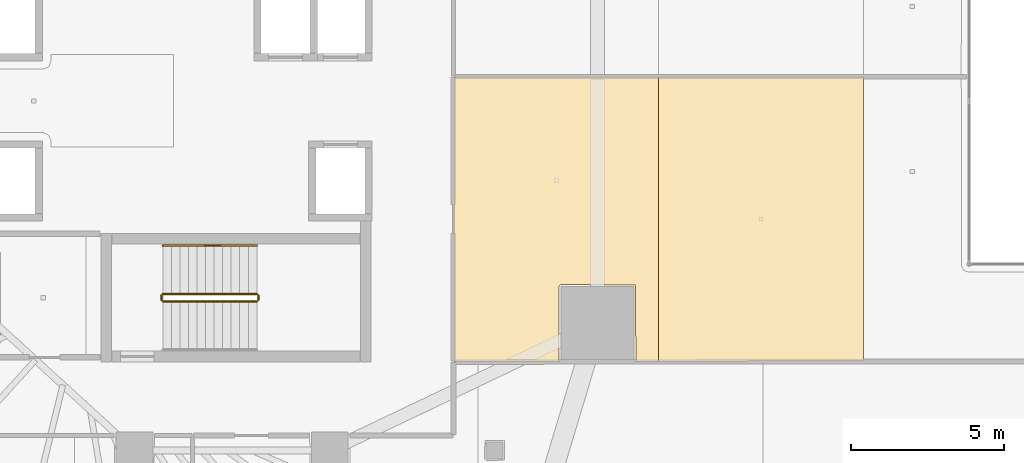
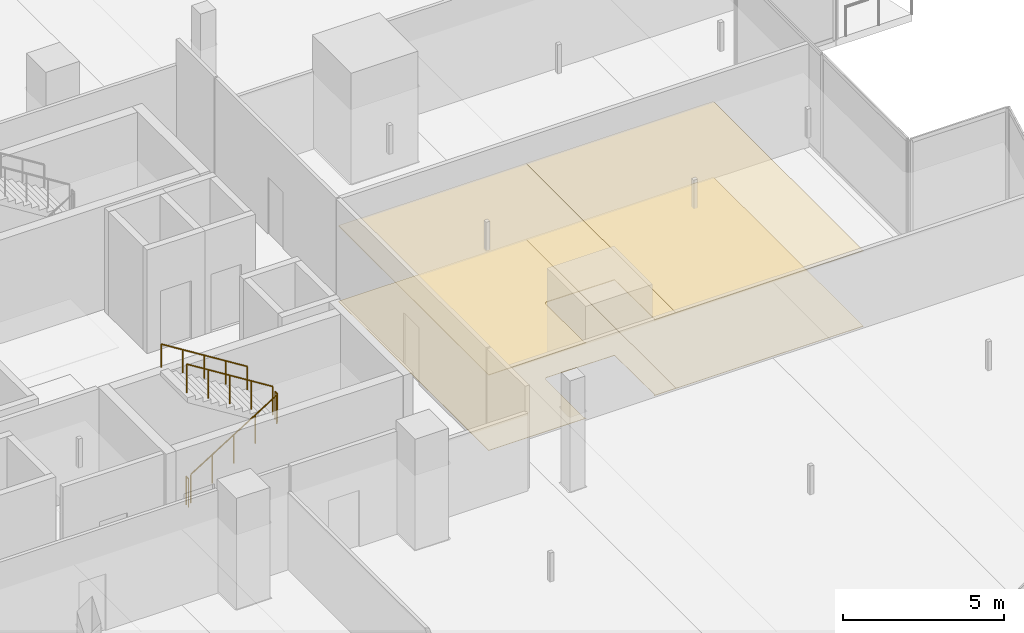
# One storey, part 40 of 45: 5 railings, 4 coverings.
"""IFC4 building model written with IfcOpenShell, lengths in metres."""

from ifc_helpers import new_model, si_unit, direction, frame, origin, origin_2d, place, context, subcontext, project, spatial, polyline, circle, outline, extrude, material, layer, layer_set, type_object, element, save


model = new_model("IFC4")

# Units and contexts
model_context = context("Model", 3, precision=1e-05, world=origin(), true_north=direction((0.0, 1.0)))
body_context = subcontext(model_context, "Body", "Model", "MODEL_VIEW")
ifc_project = project(units=[si_unit("LENGTHUNIT", "METRE"), si_unit("AREAUNIT", "SQUARE_METRE"), si_unit("VOLUMEUNIT", "CUBIC_METRE"), si_unit("PLANEANGLEUNIT", "RADIAN"), si_unit("MASSUNIT", "GRAM", prefix="KILO")], contexts=[model_context])

# Site, building, storey
site_placement = place(None, origin())
site = spatial("IfcSite", under=ifc_project, at=site_placement, CompositionType="ELEMENT")
building_placement = place(site_placement, origin())
building = spatial("IfcBuilding", under=site, at=building_placement, Name="Qorvath Tower", CompositionType="ELEMENT")
storey_placement = place(building_placement, frame((0.0, 0.0, 49.199951171875)))
storey = spatial("IfcBuildingStorey", under=building, at=storey_placement, Name="L10", CompositionType="ELEMENT", Elevation=49.199951171875)

# Coverings
ifc_material_1 = material(Name="Acoustic mineral fibre ceiling tile", Category="gypsum")
ifc_layer_1 = layer(ifc_material_1, 0.030029296875)
ifc_layer_set_1 = layer_set([ifc_layer_1], Name="COV-CEIL")
covering_type_1 = type_object("IfcCoveringType", Name="COV-CEIL", PredefinedType="CEILING", material=ifc_layer_set_1)
covering_1_placement = place(storey_placement, frame((0.0, 0.0, 2.85009765625)))
element("IfcCovering", 1, at=covering_1_placement, inside=storey, type_object=covering_type_1, Name="L10 Suspended Acoustic Ceiling 020", PredefinedType="CEILING", context=body_context, shape_type="SweptSolid", body=[
    extrude(outline(polyline([(-6.4267578125, -8.53173828125), (-6.4267578125, 0.7861328125), (-13.136962890625, 0.7861328125), (-13.136962890625, -8.537109375), (-9.635498046875, -8.5341796875), (-9.690185546875, -8.476318359375), (-9.690185546875, -6.076416015625), (-9.63037109375, -6.016357421875), (-7.18798828125, -6.033935546875), (-7.17041015625, -8.476318359375), (-7.220458984375, -8.5322265625), (-6.4267578125, -8.53173828125)])), origin(), (0.0, 0.0, 1.0), 0.030029296875),
])
covering_2_placement = place(storey_placement, frame((0.0, 0.0, 2.85009765625)))
element("IfcCovering", 2, at=covering_2_placement, inside=storey, type_object=covering_type_1, Name="L10 Suspended Acoustic Ceiling 021", PredefinedType="CEILING", context=body_context, shape_type="SweptSolid", body=[
    extrude(outline(polyline([(0.283447265625, -8.5263671875), (0.283447265625, 0.7861328125), (-6.4267578125, 0.7861328125), (-6.4267578125, -8.53173828125), (0.283447265625, -8.5263671875)])), origin(), (0.0, 0.0, 1.0), 0.030029296875),
])
ifc_material_2 = material(Name="Low-VOC modular carpet tile", Category="textile")
ifc_layer_2 = layer(ifc_material_2, 0.014892578125)
ifc_layer_set_2 = layer_set([ifc_layer_2], Name="COV-FLOOR-CPT")
covering_type_2 = type_object("IfcCoveringType", Name="COV-FLOOR-CPT", PredefinedType="FLOORING", material=ifc_layer_set_2)
covering_3_placement = place(storey_placement, origin())
element("IfcCovering", 3, at=covering_3_placement, inside=storey, type_object=covering_type_2, Name="L10 Floor Finish 020", PredefinedType="FLOORING", context=body_context, shape_type="SweptSolid", body=[
    extrude(outline(polyline([(-6.4267578125, -8.53173828125), (-6.4267578125, 0.7861328125), (-13.136962890625, 0.7861328125), (-13.136962890625, -8.537109375), (-9.635498046875, -8.5341796875), (-9.690185546875, -8.476318359375), (-9.690185546875, -6.076416015625), (-9.63037109375, -6.016357421875), (-7.18798828125, -6.033935546875), (-7.17041015625, -8.476318359375), (-7.220458984375, -8.5322265625), (-6.4267578125, -8.53173828125)])), origin(), (0.0, 0.0, 1.0), 0.01513671875),
])
covering_4_placement = place(storey_placement, origin())
element("IfcCovering", 4, at=covering_4_placement, inside=storey, type_object=covering_type_2, Name="L10 Floor Finish 021", PredefinedType="FLOORING", context=body_context, shape_type="SweptSolid", body=[
    extrude(outline(polyline([(0.283447265625, -8.5263671875), (0.283447265625, 0.7861328125), (-6.4267578125, 0.7861328125), (-6.4267578125, -8.53173828125), (0.283447265625, -8.5263671875)])), origin(), (0.0, 0.0, 1.0), 0.01513671875),
])

# Railings
ifc_material_3 = material(Name="Painted galvanised steel", Category="steel")
railing_type_1 = type_object("IfcRailingType", Name="RL-STR-GRD", PredefinedType="GUARDRAIL", material=ifc_material_3)
railing_1_placement = place(storey_placement, frame((-22.669921875, -6.570068359375, 0.175048828125)))
element("IfcRailing", 5, at=railing_1_placement, inside=storey, type_object=railing_type_1, Name="L10 TS2 stair guard 1", PredefinedType="GUARDRAIL", context=body_context, shape_type="SweptSolid", body=[
    extrude(circle(Radius=0.02392578125, at=origin_2d()), frame((0.0, 0.0, 1.076171875), z_axis=(0.847979421464, 0.0, 0.530029150871), x_axis=(0.0, 1.0, 0.0)), (0.0, 0.0, 1.0), 3.632080078125),
    extrude(circle(Radius=0.02099609375, at=origin_2d()), origin(), (0.0, 0.0, 1.0), 1.052001953125),
    extrude(circle(Radius=0.02099609375, at=origin_2d()), frame((0.77001953125, 0.0, 0.481201171875)), (0.0, 0.0, 1.0), 1.052001953125),
    extrude(circle(Radius=0.02099609375, at=origin_2d()), frame((1.5400390625, 0.0, 0.96240234375)), (0.0, 0.0, 1.0), 1.052001953125),
    extrude(circle(Radius=0.02099609375, at=origin_2d()), frame((2.309814453125, 0.0, 1.44384765625)), (0.0, 0.0, 1.0), 1.052001953125),
    extrude(circle(Radius=0.02099609375, at=origin_2d()), frame((3.079833984375, 0.0, 1.925048828125)), (0.0, 0.0, 1.0), 1.052001953125),
])
railing_2_placement = place(storey_placement, frame((-19.5400390625, -6.52001953125, 2.10009765625)))
element("IfcRailing", 6, at=railing_2_placement, inside=storey, type_object=railing_type_1, Name="L10 TS2 stair guard 2", PredefinedType="GUARDRAIL", context=body_context, shape_type="SweptSolid", body=[
    extrude(circle(Radius=0.02392578125, at=origin_2d()), frame((0.0, 0.0, 1.076171875), z_axis=(0.0, 1.0, 0.0), x_axis=(-1.0, 0.0, 0.0)), (0.0, 0.0, 1.0), 0.14990234375),
    extrude(circle(Radius=0.02099609375, at=origin_2d()), origin(), (0.0, 0.0, 1.0), 1.052001953125),
    extrude(circle(Radius=0.02099609375, at=origin_2d()), frame((0.0, 0.14990234375, 0.0)), (0.0, 0.0, 1.0), 1.052001953125),
])
railing_3_placement = place(storey_placement, frame((-19.590087890625, -6.320068359375, 2.275146484375)))
element("IfcRailing", 7, at=railing_3_placement, inside=storey, type_object=railing_type_1, Name="L10 TS2 stair guard 3", PredefinedType="GUARDRAIL", context=body_context, shape_type="SweptSolid", body=[
    extrude(circle(Radius=0.02392578125, at=origin_2d()), frame((0.0, 0.0, 1.076171875), z_axis=(-0.848009633417, 0.0, 0.529980812513), x_axis=(0.0, -1.0, 0.0)), (0.0, 0.0, 1.0), 3.6318359375),
    extrude(circle(Radius=0.02099609375, at=origin_2d()), origin(), (0.0, 0.0, 1.0), 1.052001953125),
    extrude(circle(Radius=0.02099609375, at=origin_2d()), frame((-0.77001953125, 0.0, 0.481201171875)), (0.0, 0.0, 1.0), 1.052001953125),
    extrude(circle(Radius=0.02099609375, at=origin_2d()), frame((-1.5400390625, 0.0, 0.96240234375)), (0.0, 0.0, 1.0), 1.052001953125),
    extrude(circle(Radius=0.02099609375, at=origin_2d()), frame((-2.309814453125, 0.0, 1.443603515625)), (0.0, 0.0, 1.0), 1.052001953125),
    extrude(circle(Radius=0.02099609375, at=origin_2d()), frame((-3.079833984375, 0.0, 1.9248046875)), (0.0, 0.0, 1.0), 1.052001953125),
])
railing_4_placement = place(storey_placement, frame((-22.719970703125, -6.52001953125, 0.0)))
element("IfcRailing", 8, at=railing_4_placement, inside=storey, type_object=railing_type_1, Name="L10 TS2 stair guard 4", PredefinedType="GUARDRAIL", context=body_context, shape_type="SweptSolid", body=[
    extrude(circle(Radius=0.02392578125, at=origin_2d()), frame((0.0, 0.0, 1.076171875), z_axis=(0.0, 1.0, 0.0), x_axis=(-1.0, 0.0, 0.0)), (0.0, 0.0, 1.0), 0.14990234375),
    extrude(circle(Radius=0.02099609375, at=origin_2d()), origin(), (0.0, 0.0, 1.0), 1.052001953125),
    extrude(circle(Radius=0.02099609375, at=origin_2d()), frame((0.0, 0.14990234375, 0.0)), (0.0, 0.0, 1.0), 1.052001953125),
])
ifc_material_4 = material(Name="Brushed stainless steel AISI 304", Category="steel")
railing_type_2 = type_object("IfcRailingType", Name="RL-STR-HND", PredefinedType="HANDRAIL", material=ifc_material_4)
railing_5_placement = place(storey_placement, frame((-19.590087890625, -4.739990234375, 2.275146484375)))
element("IfcRailing", 9, at=railing_5_placement, inside=storey, type_object=railing_type_2, Name="L10 TS2 stair handrail 2", PredefinedType="HANDRAIL", context=body_context, shape_type="SweptSolid", body=[
    extrude(circle(Radius=0.02392578125, at=origin_2d()), frame((0.0, 0.0, 0.8759765625), z_axis=(-0.848009633417, 0.0, 0.529980812513), x_axis=(0.0, -1.0, 0.0)), (0.0, 0.0, 1.0), 3.6318359375),
    extrude(circle(Radius=0.02099609375, at=origin_2d()), origin(), (0.0, 0.0, 1.0), 0.851806640625),
    extrude(circle(Radius=0.02099609375, at=origin_2d()), frame((-0.77001953125, 0.0, 0.481201171875)), (0.0, 0.0, 1.0), 0.851806640625),
    extrude(circle(Radius=0.02099609375, at=origin_2d()), frame((-1.5400390625, 0.0, 0.96240234375)), (0.0, 0.0, 1.0), 0.851806640625),
    extrude(circle(Radius=0.02099609375, at=origin_2d()), frame((-2.309814453125, 0.0, 1.443603515625)), (0.0, 0.0, 1.0), 0.851806640625),
    extrude(circle(Radius=0.02099609375, at=origin_2d()), frame((-3.079833984375, 0.0, 1.9248046875)), (0.0, 0.0, 1.0), 0.851806640625),
])

save(model, "model.ifc")
